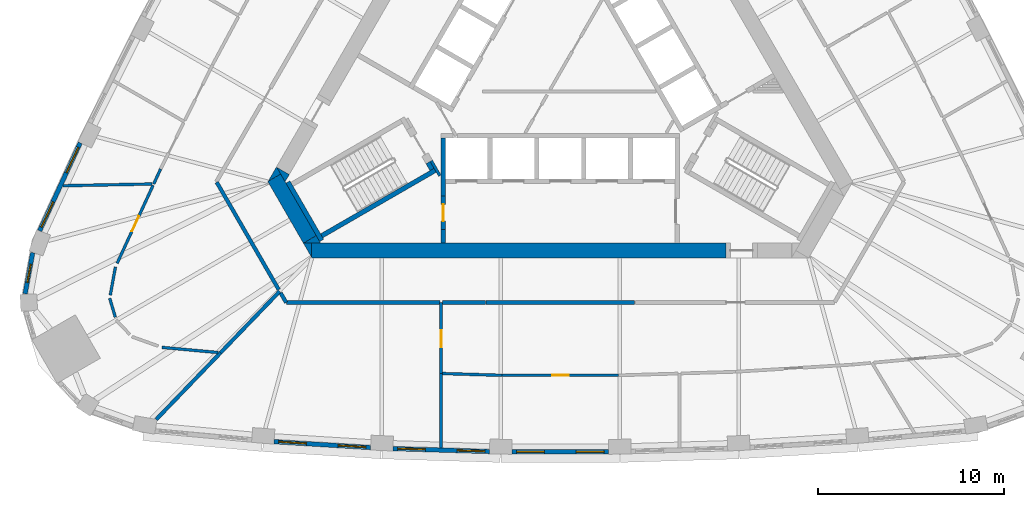
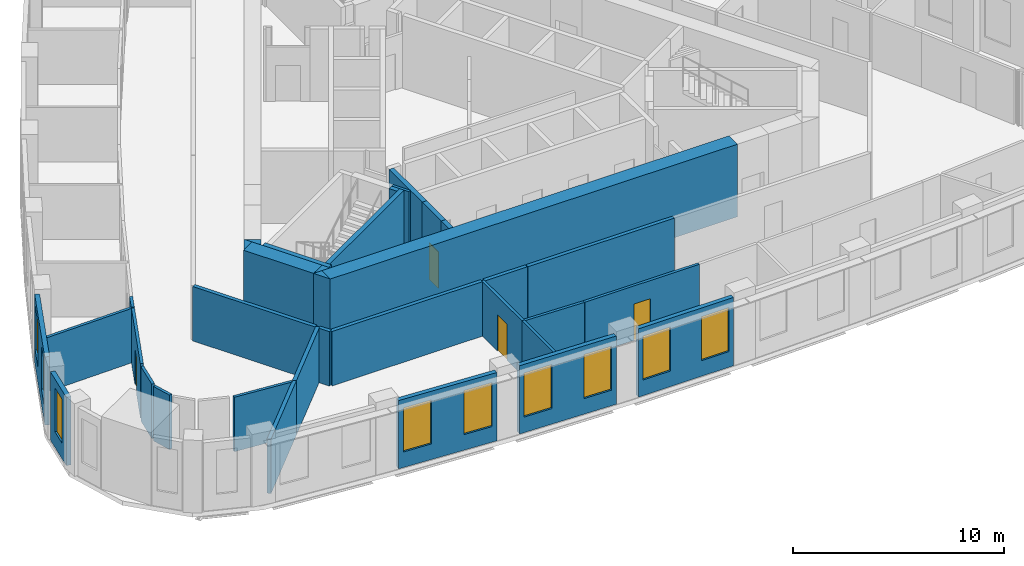
# One storey, part 3 of 11: 35 walls, 9 windows, 4 doors, 13 openings.
"""IFC4 building model written with IfcOpenShell, lengths in metres."""

from ifc_helpers import new_model, si_unit, direction, frame, frame_2d, origin, place, context, subcontext, project, spatial, polyline, rectangle, outline, extrude, material, layer, layer_set, type_object, element, fill, save


model = new_model("IFC4")

# Units and contexts
model_context = context("Model", 3, precision=1e-05, world=origin(), true_north=direction((0.0, 1.0)))
body_context = subcontext(model_context, "Body", "Model", "MODEL_VIEW")
ifc_project = project(units=[si_unit("LENGTHUNIT", "METRE"), si_unit("AREAUNIT", "SQUARE_METRE"), si_unit("VOLUMEUNIT", "CUBIC_METRE"), si_unit("PLANEANGLEUNIT", "RADIAN"), si_unit("MASSUNIT", "GRAM", prefix="KILO")], contexts=[model_context])

# Site, building, storey
site_placement = place(None, origin())
site = spatial("IfcSite", under=ifc_project, at=site_placement, CompositionType="ELEMENT")
building_placement = place(site_placement, origin())
building = spatial("IfcBuilding", under=site, at=building_placement, Name="Mestral Congress Tower", CompositionType="ELEMENT")
storey_placement = place(building_placement, frame((0.0, 0.0, 175.199951171875)))
storey = spatial("IfcBuildingStorey", under=building, at=storey_placement, Name="L41", CompositionType="ELEMENT", Elevation=175.199951171875)

# Walls
ifc_material_1 = material(Name="Concrete C60/75", Category="concrete")
ifc_layer_1 = layer(ifc_material_1, 0.800048828125)
ifc_layer_set_1 = layer_set([ifc_layer_1], Name="Concrete C60/75")
wall_type_1 = type_object("IfcWallType", Name="Core wall RC 800", PredefinedType="SOLIDWALL", material=ifc_layer_set_1)
wall_1_placement = place(storey_placement, frame((-13.377685546875, -10.050048828125, 0.0), z_axis=(0.0, 0.0, 1.0), x_axis=(1.0, 0.0, 0.0)))
element("IfcWall", 1, at=wall_1_placement, inside=storey, type_object=wall_type_1, Name="L41 core wall", PredefinedType="SOLIDWALL", context=body_context, shape_type="SweptSolid", body=[
    extrude(rectangle(XDim=22.281982421875, YDim=0.800048828125, at=frame_2d((11.14111328125, 0.0))), origin(), (0.0, 0.0, 1.0), 4.199951171875),
])
placement = place(storey_placement, origin())
element("IfcWall", 2, at=placement, inside=storey, type_object=wall_type_1, Name="L41 core wall", PredefinedType="SOLIDWALL", context=body_context, shape_type="SweptSolid", body=[
    extrude(outline(polyline([(-13.82763671875, -9.64990234375), (-13.379638671875, -9.64990234375), (-13.379638671875, -10.42578125), (-13.82763671875, -9.64990234375)])), origin(), (0.0, 0.0, 1.0), 4.199951171875),
])
wall_3_placement = place(storey_placement, frame((-15.392333984375, -6.1396484375, 0.0), z_axis=(0.0, 0.0, 1.0), x_axis=(0.499984020225, -0.866034629516, 0.0)))
element("IfcWall", 3, at=wall_3_placement, inside=storey, type_object=wall_type_1, Name="L41 core wall", PredefinedType="SOLIDWALL", context=body_context, shape_type="SweptSolid", body=[
    extrude(rectangle(XDim=3.824462890625, YDim=0.800048828125, at=frame_2d((1.912109375, 0.0))), origin(), (0.0, 0.0, 1.0), 4.199951171875),
])
element("IfcWall", 4, at=placement, inside=storey, type_object=wall_type_1, Name="L41 core wall", PredefinedType="SOLIDWALL", context=body_context, shape_type="SweptSolid", body=[
    extrude(outline(polyline([(-15.046875, -5.93798828125), (-15.718994140625, -6.325927734375), (-15.27099609375, -5.550048828125), (-15.046875, -5.93798828125)])), origin(), (0.0, 0.0, 1.0), 4.199951171875),
])
element("IfcWall", 5, at=placement, inside=storey, type_object=wall_type_1, Name="L41 core wall", PredefinedType="SOLIDWALL", context=body_context, shape_type="SweptSolid", body=[
    extrude(outline(polyline([(-12.90380859375, -9.64990234375), (-13.81982421875, -9.64990234375), (-13.1328125, -9.25341796875), (-12.90380859375, -9.64990234375)])), origin(), (0.0, 0.0, 1.0), 4.199951171875),
])
element("IfcWall", 6, at=placement, inside=storey, type_object=wall_type_1, Name="L41 core wall", PredefinedType="SOLIDWALL", context=body_context, shape_type="SweptSolid", body=[
    extrude(outline(polyline([(-14.80908203125, -6.35009765625), (-15.257080078125, -5.573974609375), (-14.5849609375, -5.9619140625), (-14.80908203125, -6.35009765625)])), origin(), (0.0, 0.0, 1.0), 4.199951171875),
])

# Wall, openings, windows
ifc_material_2 = material(Name="Precast concrete C40/50 with limestone facing", Category="masonry")
ifc_layer_2 = layer(ifc_material_2, 0.239990234375)
ifc_layer_set_2 = layer_set([ifc_layer_2], Name="Precast concrete C40/50 with limestone facing")
wall_type_2 = type_object("IfcWallType", Name="Facade stone wall 240", PredefinedType="SOLIDWALL", material=ifc_layer_set_2)
wall_7_placement = place(storey_placement, frame((-15.404541015625, -20.33837890625, 0.0), z_axis=(0.0, 0.0, 1.0), x_axis=(0.998135294646, -0.061040425794, 0.0)))
wall_7 = element("IfcWall", 7, at=wall_7_placement, inside=storey, type_object=wall_type_2, Name="Facade wall F0-01", PredefinedType="SOLIDWALL", context=body_context, shape_type="SweptSolid", body=[
    extrude(rectangle(XDim=5.20361328125, YDim=0.239990234375, at=frame_2d((2.601806640625, 0.0))), origin(), (0.0, 0.0, 1.0), 3.949951171875),
])
opening_1_placement = place(wall_7_placement, frame((0.248291015625, 0.0, 0.89990234375)))
opening_1 = element("IfcOpeningElement", 8, at=opening_1_placement, cuts=wall_7, Name="Opening W4", PredefinedType="OPENING", context=body_context, shape_type="SweptSolid", body=[
    extrude(rectangle(XDim=1.5, YDim=2.550048828125, at=frame_2d((0.75, 1.27490234375))), frame((0.0, 0.1298828125, 0.0), z_axis=(0.0, -1.0, 0.0), x_axis=(1.0, 0.0, 0.0)), (0.0, 0.0, 1.0), 0.260009765625),
])
opening_2_placement = place(wall_7_placement, frame((3.455078125, 0.0, 0.89990234375)))
opening_2 = element("IfcOpeningElement", 9, at=opening_2_placement, cuts=wall_7, Name="Opening W4", PredefinedType="OPENING", context=body_context, shape_type="SweptSolid", body=[
    extrude(rectangle(XDim=1.5, YDim=2.550048828125, at=frame_2d((0.75, 1.27490234375))), frame((0.0, 0.1298828125, 0.0), z_axis=(0.0, -1.0, 0.0), x_axis=(1.0, 0.0, 0.0)), (0.0, 0.0, 1.0), 0.260009765625),
])
ifc_material_3 = material(Name="Clear low-emissivity double glazing", Category="glass")
window_type_1 = type_object("IfcWindowType", Name="Facade punched window 1500 x 2550 sill 900", PartitioningType="SINGLE_PANEL", PredefinedType="WINDOW", material=ifc_material_3)
window_1_placement = place(opening_1_placement, origin())
window_1 = element("IfcWindow", 10, at=window_1_placement, inside=storey, type_object=window_type_1, Name="Window F0-01a", OverallHeight=2.550048828125, OverallWidth=1.5, PartitioningType="SINGLE_PANEL", PredefinedType="WINDOW", context=body_context, shape_type="SweptSolid", body=[
    extrude(rectangle(XDim=1.5, YDim=2.550048828125, at=frame_2d((0.75, 1.27490234375))), frame((0.0, 0.0400390625, 0.0), z_axis=(0.0, -1.0, 0.0), x_axis=(1.0, 0.0, 0.0)), (0.0, 0.0, 1.0), 0.06005859375),
])
fill(opening_1, window_1)
window_2_placement = place(opening_2_placement, origin())
window_2 = element("IfcWindow", 11, at=window_2_placement, inside=storey, type_object=window_type_1, Name="Window F0-01b", OverallHeight=2.550048828125, OverallWidth=1.5, PartitioningType="SINGLE_PANEL", PredefinedType="WINDOW", context=body_context, shape_type="SweptSolid", body=[
    extrude(rectangle(XDim=1.5, YDim=2.550048828125, at=frame_2d((0.75, 1.27490234375))), frame((0.0, 0.0400390625, 0.0), z_axis=(0.0, -1.0, 0.0), x_axis=(1.0, 0.0, 0.0)), (0.0, 0.0, 1.0), 0.06005859375),
])
fill(opening_2, window_2)

wall_8_placement = place(storey_placement, frame((-9.00732421875, -20.7109375, 0.0), z_axis=(0.0, 0.0, 1.0), x_axis=(0.999533441983, -0.030543384845, 0.0)))
wall_8 = element("IfcWall", 12, at=wall_8_placement, inside=storey, type_object=wall_type_2, Name="Facade wall F0-02", PredefinedType="SOLIDWALL", context=body_context, shape_type="SweptSolid", body=[
    extrude(rectangle(XDim=5.20361328125, YDim=0.239990234375, at=frame_2d((2.601806640625, 0.0))), origin(), (0.0, 0.0, 1.0), 3.949951171875),
])
opening_3_placement = place(wall_8_placement, frame((0.248291015625, 0.0, 0.89990234375)))
opening_3 = element("IfcOpeningElement", 13, at=opening_3_placement, cuts=wall_8, Name="Opening W4", PredefinedType="OPENING", context=body_context, shape_type="SweptSolid", body=[
    extrude(rectangle(XDim=1.5, YDim=2.550048828125, at=frame_2d((0.75, 1.27490234375))), frame((0.0, 0.1298828125, 0.0), z_axis=(0.0, -1.0, 0.0), x_axis=(1.0, 0.0, 0.0)), (0.0, 0.0, 1.0), 0.260009765625),
])
opening_4_placement = place(wall_8_placement, frame((3.455078125, 0.0, 0.89990234375)))
opening_4 = element("IfcOpeningElement", 14, at=opening_4_placement, cuts=wall_8, Name="Opening W4", PredefinedType="OPENING", context=body_context, shape_type="SweptSolid", body=[
    extrude(rectangle(XDim=1.5, YDim=2.550048828125, at=frame_2d((0.75, 1.27490234375))), frame((0.0, 0.1298828125, 0.0), z_axis=(0.0, -1.0, 0.0), x_axis=(1.0, 0.0, 0.0)), (0.0, 0.0, 1.0), 0.260009765625),
])
window_3_placement = place(opening_3_placement, origin())
window_3 = element("IfcWindow", 15, at=window_3_placement, inside=storey, type_object=window_type_1, Name="Window F0-02a", OverallHeight=2.550048828125, OverallWidth=1.5, PartitioningType="SINGLE_PANEL", PredefinedType="WINDOW", context=body_context, shape_type="SweptSolid", body=[
    extrude(rectangle(XDim=1.5, YDim=2.550048828125, at=frame_2d((0.75, 1.27490234375))), frame((0.0, 0.0400390625, 0.0), z_axis=(0.0, -1.0, 0.0), x_axis=(1.0, 0.0, 0.0)), (0.0, 0.0, 1.0), 0.06005859375),
])
fill(opening_3, window_3)
window_4_placement = place(opening_4_placement, origin())
window_4 = element("IfcWindow", 16, at=window_4_placement, inside=storey, type_object=window_type_1, Name="Window F0-02b", OverallHeight=2.550048828125, OverallWidth=1.5, PartitioningType="SINGLE_PANEL", PredefinedType="WINDOW", context=body_context, shape_type="SweptSolid", body=[
    extrude(rectangle(XDim=1.5, YDim=2.550048828125, at=frame_2d((0.75, 1.27490234375))), frame((0.0, 0.0400390625, 0.0), z_axis=(0.0, -1.0, 0.0), x_axis=(1.0, 0.0, 0.0)), (0.0, 0.0, 1.0), 0.06005859375),
])
fill(opening_4, window_4)

wall_9_placement = place(storey_placement, frame((-2.601806640625, -20.88818359375, 0.0), z_axis=(0.0, 0.0, 1.0), x_axis=(1.0, 0.0, 0.0)))
wall_9 = element("IfcWall", 17, at=wall_9_placement, inside=storey, type_object=wall_type_2, Name="Facade wall F0-03", PredefinedType="SOLIDWALL", context=body_context, shape_type="SweptSolid", body=[
    extrude(rectangle(XDim=5.20361328125, YDim=0.239990234375, at=frame_2d((2.601806640625, 0.0))), origin(), (0.0, 0.0, 1.0), 3.949951171875),
])
opening_5_placement = place(wall_9_placement, frame((0.248291015625, 0.0, 0.89990234375)))
opening_5 = element("IfcOpeningElement", 18, at=opening_5_placement, cuts=wall_9, Name="Opening W4", PredefinedType="OPENING", context=body_context, shape_type="SweptSolid", body=[
    extrude(rectangle(XDim=1.5, YDim=2.550048828125, at=frame_2d((0.75, 1.27490234375))), frame((0.0, 0.1298828125, 0.0), z_axis=(0.0, -1.0, 0.0), x_axis=(1.0, 0.0, 0.0)), (0.0, 0.0, 1.0), 0.260009765625),
])
opening_6_placement = place(wall_9_placement, frame((3.455078125, 0.0, 0.89990234375)))
opening_6 = element("IfcOpeningElement", 19, at=opening_6_placement, cuts=wall_9, Name="Opening W4", PredefinedType="OPENING", context=body_context, shape_type="SweptSolid", body=[
    extrude(rectangle(XDim=1.5, YDim=2.550048828125, at=frame_2d((0.75, 1.27490234375))), frame((0.0, 0.1298828125, 0.0), z_axis=(0.0, -1.0, 0.0), x_axis=(1.0, 0.0, 0.0)), (0.0, 0.0, 1.0), 0.260009765625),
])
window_5_placement = place(opening_5_placement, origin())
window_5 = element("IfcWindow", 20, at=window_5_placement, inside=storey, type_object=window_type_1, Name="Window F0-03a", OverallHeight=2.550048828125, OverallWidth=1.5, PartitioningType="SINGLE_PANEL", PredefinedType="WINDOW", context=body_context, shape_type="SweptSolid", body=[
    extrude(rectangle(XDim=1.5, YDim=2.550048828125, at=frame_2d((0.75, 1.27490234375))), frame((0.0, 0.0400390625, 0.0), z_axis=(0.0, -1.0, 0.0), x_axis=(1.0, 0.0, 0.0)), (0.0, 0.0, 1.0), 0.06005859375),
])
fill(opening_5, window_5)
window_6_placement = place(opening_6_placement, origin())
window_6 = element("IfcWindow", 21, at=window_6_placement, inside=storey, type_object=window_type_1, Name="Window F0-03b", OverallHeight=2.550048828125, OverallWidth=1.5, PartitioningType="SINGLE_PANEL", PredefinedType="WINDOW", context=body_context, shape_type="SweptSolid", body=[
    extrude(rectangle(XDim=1.5, YDim=2.550048828125, at=frame_2d((0.75, 1.27490234375))), frame((0.0, 0.0400390625, 0.0), z_axis=(0.0, -1.0, 0.0), x_axis=(1.0, 0.0, 0.0)), (0.0, 0.0, 1.0), 0.06005859375),
])
fill(opening_6, window_6)

wall_10_placement = place(storey_placement, frame((-25.8369140625, -4.2578125, 0.0), z_axis=(0.0, 0.0, 1.0), x_axis=(-0.418722559465, -0.908114209885, 0.0)))
wall_10 = element("IfcWall", 22, at=wall_10_placement, inside=storey, type_object=wall_type_2, Name="Facade wall F2-06", PredefinedType="SOLIDWALL", context=body_context, shape_type="SweptSolid", body=[
    extrude(rectangle(XDim=5.213134765625, YDim=0.239990234375, at=frame_2d((2.6064453125, 0.0))), origin(), (0.0, 0.0, 1.0), 3.949951171875),
])
opening_7_placement = place(wall_10_placement, frame((0.2607421875, 0.0, 0.89990234375)))
opening_7 = element("IfcOpeningElement", 23, at=opening_7_placement, cuts=wall_10, Name="Opening W4", PredefinedType="OPENING", context=body_context, shape_type="SweptSolid", body=[
    extrude(rectangle(XDim=1.5, YDim=2.550048828125, at=frame_2d((0.75, 1.27490234375))), frame((0.0, 0.1298828125, 0.0), z_axis=(0.0, -1.0, 0.0), x_axis=(1.0, 0.0, 0.0)), (0.0, 0.0, 1.0), 0.260009765625),
])
opening_8_placement = place(wall_10_placement, frame((3.492431640625, 0.0, 0.89990234375)))
opening_8 = element("IfcOpeningElement", 24, at=opening_8_placement, cuts=wall_10, Name="Opening W4", PredefinedType="OPENING", context=body_context, shape_type="SweptSolid", body=[
    extrude(rectangle(XDim=1.5, YDim=2.550048828125, at=frame_2d((0.75, 1.27490234375))), frame((0.0, 0.1298828125, 0.0), z_axis=(0.0, -1.0, 0.0), x_axis=(1.0, 0.0, 0.0)), (0.0, 0.0, 1.0), 0.260009765625),
])
window_7_placement = place(opening_7_placement, origin())
window_7 = element("IfcWindow", 25, at=window_7_placement, inside=storey, type_object=window_type_1, Name="Window F2-06a", OverallHeight=2.550048828125, OverallWidth=1.5, PartitioningType="SINGLE_PANEL", PredefinedType="WINDOW", context=body_context, shape_type="SweptSolid", body=[
    extrude(rectangle(XDim=1.5, YDim=2.550048828125, at=frame_2d((0.75, 1.27490234375))), frame((0.0, 0.0400390625, 0.0), z_axis=(0.0, -1.0, 0.0), x_axis=(1.0, 0.0, 0.0)), (0.0, 0.0, 1.0), 0.06005859375),
])
fill(opening_7, window_7)
window_8_placement = place(opening_8_placement, origin())
window_8 = element("IfcWindow", 26, at=window_8_placement, inside=storey, type_object=window_type_1, Name="Window F2-06b", OverallHeight=2.550048828125, OverallWidth=1.5, PartitioningType="SINGLE_PANEL", PredefinedType="WINDOW", context=body_context, shape_type="SweptSolid", body=[
    extrude(rectangle(XDim=1.5, YDim=2.550048828125, at=frame_2d((0.75, 1.27490234375))), frame((0.0, 0.0400390625, 0.0), z_axis=(0.0, -1.0, 0.0), x_axis=(1.0, 0.0, 0.0)), (0.0, 0.0, 1.0), 0.06005859375),
])
fill(opening_8, window_8)

# Wall, opening, window
wall_11_placement = place(storey_placement, frame((-28.392578125, -10.166748046875, 0.0), z_axis=(0.0, 0.0, 1.0), x_axis=(-0.180737189259, -0.983531427265, 0.0)))
wall_11 = element("IfcWall", 27, at=wall_11_placement, inside=storey, type_object=wall_type_2, Name="Facade wall K2-0", PredefinedType="SOLIDWALL", context=body_context, shape_type="SweptSolid", body=[
    extrude(rectangle(XDim=2.25048828125, YDim=0.239990234375, at=frame_2d((1.125244140625, 0.0))), origin(), (0.0, 0.0, 1.0), 3.949951171875),
])
opening_9_placement = place(wall_11_placement, frame((0.625244140625, 0.0, 0.89990234375)))
opening_9 = element("IfcOpeningElement", 28, at=opening_9_placement, cuts=wall_11, Name="Opening W5", PredefinedType="OPENING", context=body_context, shape_type="SweptSolid", body=[
    extrude(rectangle(XDim=1.0, YDim=2.550048828125, at=frame_2d((0.5, 1.27490234375))), frame((0.0, 0.1298828125, 0.0), z_axis=(0.0, -1.0, 0.0), x_axis=(1.0, 0.0, 0.0)), (0.0, 0.0, 1.0), 0.260009765625),
])
window_type_2 = type_object("IfcWindowType", Name="Facade punched window 1000 x 2550 sill 900", PartitioningType="SINGLE_PANEL", PredefinedType="WINDOW", material=ifc_material_3)
window_9_placement = place(opening_9_placement, origin())
window_9 = element("IfcWindow", 29, at=window_9_placement, inside=storey, type_object=window_type_2, Name="Window K2-0", OverallHeight=2.550048828125, OverallWidth=1.0, PartitioningType="SINGLE_PANEL", PredefinedType="WINDOW", context=body_context, shape_type="SweptSolid", body=[
    extrude(rectangle(XDim=1.0, YDim=2.550048828125, at=frame_2d((0.5, 1.27490234375))), frame((0.0, 0.0400390625, 0.0), z_axis=(0.0, -1.0, 0.0), x_axis=(1.0, 0.0, 0.0)), (0.0, 0.0, 1.0), 0.06005859375),
])
fill(opening_9, window_9)

# Wall
ifc_material_4 = material(Name="Plasterboard partition on steel studs", Category="steel")
ifc_layer_3 = layer(ifc_material_4, 0.14990234375)
ifc_layer_set_3 = layer_set([ifc_layer_3], Name="Plasterboard partition on steel studs")
wall_type_3 = type_object("IfcWallType", Name="Office partition 150", PredefinedType="PARTITIONING", material=ifc_layer_set_3)
wall_12_placement = place(storey_placement, frame((-6.412109375, -16.664306640625, 0.0), z_axis=(0.0, 0.0, 1.0), x_axis=(0.0, -1.0, 0.0)))
element("IfcWall", 30, at=wall_12_placement, inside=storey, type_object=wall_type_3, Name="Partition", PredefinedType="PARTITIONING", context=body_context, shape_type="SweptSolid", body=[
    extrude(rectangle(XDim=4.005859375, YDim=0.14990234375, at=frame_2d((2.0029296875, 0.0))), origin(), (0.0, 0.0, 1.0), 3.150146484375),
])

# Wall, opening, door
wall_13_placement = place(storey_placement, frame((-6.412109375, -16.67236328125, 0.0), z_axis=(0.0, 0.0, 1.0), x_axis=(0.0, 1.0, 0.0)))
wall_13 = element("IfcWall", 31, at=wall_13_placement, inside=storey, type_object=wall_type_3, Name="Partition", PredefinedType="PARTITIONING", context=body_context, shape_type="SweptSolid", body=[
    extrude(rectangle(XDim=3.822265625, YDim=0.14990234375, at=frame_2d((1.9111328125, 0.0))), origin(), (0.0, 0.0, 1.0), 3.150146484375),
])
opening_10_placement = place(wall_13_placement, frame((1.42236328125, 0.0, 0.0)))
opening_10 = element("IfcOpeningElement", 32, at=opening_10_placement, cuts=wall_13, Name="Opening O03-001", PredefinedType="OPENING", context=body_context, shape_type="SweptSolid", body=[
    extrude(rectangle(XDim=0.89990234375, YDim=2.10009765625, at=frame_2d((0.449951171875, 1.050048828125))), frame((0.0, 0.0849609375, 0.0), z_axis=(0.0, -1.0, 0.0), x_axis=(1.0, 0.0, 0.0)), (0.0, 0.0, 1.0), 0.169921875),
])
ifc_material_5 = material(Name="Timber door set", Category="wood")
door_type_1 = type_object("IfcDoorType", Name="Office door 900x2100", OperationType="SINGLE_SWING_LEFT", PredefinedType="DOOR", material=ifc_material_5)
door_1_placement = place(opening_10_placement, origin())
door_1 = element("IfcDoor", 33, at=door_1_placement, inside=storey, type_object=door_type_1, Name="Door O03-001", OperationType="SINGLE_SWING_LEFT", OverallHeight=2.10009765625, OverallWidth=0.89990234375, PredefinedType="DOOR", context=body_context, shape_type="SweptSolid", body=[
    extrude(rectangle(XDim=0.89990234375, YDim=2.10009765625, at=frame_2d((0.449951171875, 1.050048828125))), frame((0.0, 0.02490234375, 0.0), z_axis=(0.0, -1.0, 0.0), x_axis=(1.0, 0.0, 0.0)), (0.0, 0.0, 1.0), 0.050048828125),
])
fill(opening_10, door_1)

# Wall
wall_14_placement = place(storey_placement, frame((-6.3369140625, -16.670654296875, 0.0), z_axis=(0.0, 0.0, 1.0), x_axis=(0.999533369646, -0.030545751995, 0.0)))
element("IfcWall", 34, at=wall_14_placement, inside=storey, type_object=wall_type_3, Name="Partition", PredefinedType="PARTITIONING", context=body_context, shape_type="SweptSolid", body=[
    extrude(rectangle(XDim=3.197021484375, YDim=0.14990234375, at=frame_2d((1.5986328125, 0.0))), origin(), (0.0, 0.0, 1.0), 3.150146484375),
])

# Wall, opening, door
wall_15_placement = place(storey_placement, frame((3.141357421875, -16.768310546875, 0.0), z_axis=(0.0, 0.0, 1.0), x_axis=(-1.0, 0.0, 0.0)))
wall_15 = element("IfcWall", 35, at=wall_15_placement, inside=storey, type_object=wall_type_3, Name="Partition", PredefinedType="PARTITIONING", context=body_context, shape_type="SweptSolid", body=[
    extrude(rectangle(XDim=6.28271484375, YDim=0.14990234375, at=frame_2d((3.141357421875, 0.0))), origin(), (0.0, 0.0, 1.0), 3.150146484375),
])
opening_11_placement = place(wall_15_placement, frame((2.6826171875, 0.0, 0.0)))
opening_11 = element("IfcOpeningElement", 36, at=opening_11_placement, cuts=wall_15, Name="Opening O03-002", PredefinedType="OPENING", context=body_context, shape_type="SweptSolid", body=[
    extrude(rectangle(XDim=0.89990234375, YDim=2.10009765625, at=frame_2d((0.449951171875, 1.050048828125))), frame((0.0, 0.0849609375, 0.0), z_axis=(0.0, -1.0, 0.0), x_axis=(1.0, 0.0, 0.0)), (0.0, 0.0, 1.0), 0.169921875),
])
door_2_placement = place(opening_11_placement, origin())
door_2 = element("IfcDoor", 37, at=door_2_placement, inside=storey, type_object=door_type_1, Name="Door O03-002", OperationType="SINGLE_SWING_LEFT", OverallHeight=2.10009765625, OverallWidth=0.89990234375, PredefinedType="DOOR", context=body_context, shape_type="SweptSolid", body=[
    extrude(rectangle(XDim=0.89990234375, YDim=2.10009765625, at=frame_2d((0.449951171875, 1.050048828125))), frame((0.0, 0.02490234375, 0.0), z_axis=(0.0, -1.0, 0.0), x_axis=(1.0, 0.0, 0.0)), (0.0, 0.0, 1.0), 0.050048828125),
])
fill(opening_11, door_2)

# Walls
wall_16_placement = place(storey_placement, frame((-21.5087890625, -5.666015625, 0.0), z_axis=(0.0, 0.0, 1.0), x_axis=(-0.4188658149, -0.908048142506, 0.0)))
element("IfcWall", 38, at=wall_16_placement, inside=storey, type_object=wall_type_3, Name="Partition", PredefinedType="PARTITIONING", context=body_context, shape_type="SweptSolid", body=[
    extrude(rectangle(XDim=0.88525390625, YDim=0.14990234375, at=frame_2d((0.442626953125, 0.0))), origin(), (0.0, 0.0, 1.0), 3.150146484375),
])
wall_17_placement = place(storey_placement, frame((-21.962890625, -6.4716796875, 0.0), z_axis=(0.0, 0.0, 1.0), x_axis=(-0.999809788098, -0.019503528505, 0.0)))
element("IfcWall", 39, at=wall_17_placement, inside=storey, type_object=wall_type_3, Name="Partition", PredefinedType="PARTITIONING", context=body_context, shape_type="SweptSolid", body=[
    extrude(rectangle(XDim=4.806884765625, YDim=0.14990234375, at=frame_2d((2.4033203125, 0.0))), origin(), (0.0, 0.0, 1.0), 3.150146484375),
])
wall_18_placement = place(storey_placement, frame((-18.412109375, -15.54150390625, 0.0), z_axis=(0.0, 0.0, 1.0), x_axis=(-0.995812481052, 0.091419377496, 0.0)))
element("IfcWall", 40, at=wall_18_placement, inside=storey, type_object=wall_type_3, Name="Partition", PredefinedType="PARTITIONING", context=body_context, shape_type="SweptSolid", body=[
    extrude(rectangle(XDim=3.0390625, YDim=0.14990234375, at=frame_2d((1.51953125, 0.0))), origin(), (0.0, 0.0, 1.0), 3.150146484375),
])
wall_19_placement = place(storey_placement, frame((-23.944580078125, -13.638427734375, 0.0), z_axis=(0.0, 0.0, 1.0), x_axis=(-0.284463225945, 0.9586869526, 0.0)))
element("IfcWall", 41, at=wall_19_placement, inside=storey, type_object=wall_type_3, Name="Partition", PredefinedType="PARTITIONING", context=body_context, shape_type="SweptSolid", body=[
    extrude(rectangle(XDim=1.064208984375, YDim=0.14990234375, at=frame_2d((0.5322265625, 0.0))), origin(), (0.0, 0.0, 1.0), 3.150146484375),
])
wall_20_placement = place(storey_placement, frame((-24.21728515625, -12.455078125, 0.0), z_axis=(0.0, 0.0, 1.0), x_axis=(0.180635934027, 0.983550028894, 0.0)))
element("IfcWall", 42, at=wall_20_placement, inside=storey, type_object=wall_type_3, Name="Partition", PredefinedType="PARTITIONING", context=body_context, shape_type="SweptSolid", body=[
    extrude(rectangle(XDim=1.546142578125, YDim=0.14990234375, at=frame_2d((0.77294921875, 0.0))), origin(), (0.0, 0.0, 1.0), 3.150146484375),
])

# Wall, opening, door
wall_21_placement = place(storey_placement, frame((-23.848388671875, -10.73974609375, 0.0), z_axis=(0.0, 0.0, 1.0), x_axis=(0.418723219841, 0.908113905392, 0.0)))
wall_21 = element("IfcWall", 43, at=wall_21_placement, inside=storey, type_object=wall_type_3, Name="Partition", PredefinedType="PARTITIONING", context=body_context, shape_type="SweptSolid", body=[
    extrude(rectangle(XDim=4.62255859375, YDim=0.14990234375, at=frame_2d((2.311279296875, 0.0))), origin(), (0.0, 0.0, 1.0), 3.150146484375),
])
opening_12_placement = place(wall_21_placement, frame((1.89990234375, 0.0, 0.0)))
opening_12 = element("IfcOpeningElement", 44, at=opening_12_placement, cuts=wall_21, Name="Opening O03-021", PredefinedType="OPENING", context=body_context, shape_type="SweptSolid", body=[
    extrude(rectangle(XDim=0.89990234375, YDim=2.10009765625, at=frame_2d((0.449951171875, 1.050048828125))), frame((0.0, 0.0849609375, 0.0), z_axis=(0.0, -1.0, 0.0), x_axis=(1.0, 0.0, 0.0)), (0.0, 0.0, 1.0), 0.169921875),
])
door_3_placement = place(opening_12_placement, origin())
door_3 = element("IfcDoor", 45, at=door_3_placement, inside=storey, type_object=door_type_1, Name="Door O03-021", OperationType="SINGLE_SWING_RIGHT", OverallHeight=2.10009765625, OverallWidth=0.89990234375, PredefinedType="DOOR", context=body_context, shape_type="SweptSolid", body=[
    extrude(rectangle(XDim=0.89990234375, YDim=2.10009765625, at=frame_2d((0.449951171875, 1.050048828125))), frame((0.0, 0.02490234375, 0.0), z_axis=(0.0, -1.0, 0.0), x_axis=(1.0, 0.0, 0.0)), (0.0, 0.0, 1.0), 0.050048828125),
])
fill(opening_12, door_3)

# Walls
ifc_material_6 = material(Name="Dense masonry wall, plastered", Category="masonry")
ifc_layer_4 = layer(ifc_material_6, 0.199951171875)
ifc_layer_set_4 = layer_set([ifc_layer_4], Name="Dense masonry wall, plastered")
wall_type_4 = type_object("IfcWallType", Name="Office tenancy wall 200", PredefinedType="PARTITIONING", material=ifc_layer_set_4)
wall_22_placement = place(storey_placement, frame((-18.2880859375, -15.55712890625, 0.0), z_axis=(0.0, 0.0, 1.0), x_axis=(0.693944823318, 0.720028181525, 0.0)))
element("IfcWall", 46, at=wall_22_placement, inside=storey, type_object=wall_type_4, Name="Tenancy wall", PredefinedType="PARTITIONING", context=body_context, shape_type="SweptSolid", body=[
    extrude(rectangle(XDim=4.595703125, YDim=0.199951171875, at=frame_2d((2.2978515625, 0.0))), origin(), (0.0, 0.0, 1.0), 3.150146484375),
])
wall_23_placement = place(storey_placement, frame((-21.741943359375, -19.140380859375, 0.0), z_axis=(0.0, 0.0, 1.0), x_axis=(0.693986944276, 0.719987584042, 0.0)))
element("IfcWall", 47, at=wall_23_placement, inside=storey, type_object=wall_type_4, Name="Tenancy wall", PredefinedType="PARTITIONING", context=body_context, shape_type="SweptSolid", body=[
    extrude(rectangle(XDim=4.986083984375, YDim=0.199951171875, at=frame_2d((2.4931640625, 0.0))), origin(), (0.0, 0.0, 1.0), 3.150146484375),
])
wall_24_placement = place(storey_placement, frame((-15.046875, -12.338134765625, 0.0), z_axis=(0.0, 0.0, 1.0), x_axis=(0.500091824179, -0.865972382579, 0.0)))
element("IfcWall", 48, at=wall_24_placement, inside=storey, type_object=wall_type_4, Name="Tenancy wall", PredefinedType="PARTITIONING", context=body_context, shape_type="SweptSolid", body=[
    extrude(rectangle(XDim=0.59130859375, YDim=0.199951171875, at=frame_2d((0.295654296875, 0.0))), origin(), (0.0, 0.0, 1.0), 3.150146484375),
])
wall_25_placement = place(storey_placement, frame((-14.72119140625, -12.85009765625, 0.0), z_axis=(0.0, 0.0, 1.0), x_axis=(1.0, 0.0, 0.0)))
element("IfcWall", 49, at=wall_25_placement, inside=storey, type_object=wall_type_4, Name="Tenancy wall", PredefinedType="PARTITIONING", context=body_context, shape_type="SweptSolid", body=[
    extrude(rectangle(XDim=8.234130859375, YDim=0.199951171875, at=frame_2d((4.1171875, 0.0))), origin(), (0.0, 0.0, 1.0), 3.150146484375),
])
wall_26_placement = place(storey_placement, frame((-4.00390625, -12.85009765625, 0.0), z_axis=(0.0, 0.0, 1.0), x_axis=(1.0, 0.0, 0.0)))
element("IfcWall", 50, at=wall_26_placement, inside=storey, type_object=wall_type_4, Name="Tenancy wall", PredefinedType="PARTITIONING", context=body_context, shape_type="SweptSolid", body=[
    extrude(rectangle(XDim=8.0078125, YDim=0.199951171875, at=frame_2d((4.00390625, 0.0))), origin(), (0.0, 0.0, 1.0), 3.150146484375),
])
wall_27_placement = place(storey_placement, frame((-6.3369140625, -12.85009765625, 0.0), z_axis=(0.0, 0.0, 1.0), x_axis=(1.0, 0.0, 0.0)))
element("IfcWall", 51, at=wall_27_placement, inside=storey, type_object=wall_type_4, Name="Tenancy wall", PredefinedType="PARTITIONING", context=body_context, shape_type="SweptSolid", body=[
    extrude(rectangle(XDim=2.302978515625, YDim=0.199951171875, at=frame_2d((1.1513671875, 0.0))), origin(), (0.0, 0.0, 1.0), 3.150146484375),
])
wall_28_placement = place(storey_placement, frame((-18.489013671875, -6.3759765625, 0.0), z_axis=(0.0, 0.0, 1.0), x_axis=(0.499989401968, -0.866031522475, 0.0)))
element("IfcWall", 52, at=wall_28_placement, inside=storey, type_object=wall_type_4, Name="Tenancy wall", PredefinedType="PARTITIONING", context=body_context, shape_type="SweptSolid", body=[
    extrude(rectangle(XDim=6.676513671875, YDim=0.199951171875, at=frame_2d((3.33837890625, 0.0))), origin(), (0.0, 0.0, 1.0), 3.150146484375),
])
ifc_layer_5 = layer(ifc_material_1, 0.25)
ifc_layer_set_5 = layer_set([ifc_layer_5], Name="Concrete C60/75")
wall_type_5 = type_object("IfcWallType", Name="Shaft wall RC 250", PredefinedType="SOLIDWALL", material=ifc_layer_set_5)
wall_29_placement = place(storey_placement, frame((-6.300048828125, -8.9248046875, 0.0), z_axis=(0.0, 0.0, 1.0), x_axis=(0.0, -1.0, 0.0)))
element("IfcWall", 53, at=wall_29_placement, inside=storey, type_object=wall_type_5, Name="L41 core wall", PredefinedType="SOLIDWALL", context=body_context, shape_type="SweptSolid", body=[
    extrude(rectangle(XDim=0.72509765625, YDim=0.25, at=frame_2d((0.362548828125, 0.0))), origin(), (0.0, 0.0, 1.0), 4.199951171875),
])
wall_30_placement = place(storey_placement, frame((-6.300048828125, -7.12451171875, 0.0), z_axis=(0.0, 0.0, 1.0), x_axis=(0.0, 1.0, 0.0)))
element("IfcWall", 54, at=wall_30_placement, inside=storey, type_object=wall_type_5, Name="L41 core wall", PredefinedType="SOLIDWALL", context=body_context, shape_type="SweptSolid", body=[
    extrude(rectangle(XDim=3.12451171875, YDim=0.25, at=frame_2d((1.562255859375, 0.0))), origin(), (0.0, 0.0, 1.0), 4.199951171875),
])

# Wall, opening, door
wall_31_placement = place(storey_placement, frame((-6.300048828125, -7.12451171875, 0.0), z_axis=(0.0, 0.0, 1.0), x_axis=(0.0, -1.0, 0.0)))
wall_31 = element("IfcWall", 55, at=wall_31_placement, inside=storey, type_object=wall_type_5, Name="L41 door wall", PredefinedType="SOLIDWALL", context=body_context, shape_type="SweptSolid", body=[
    extrude(rectangle(XDim=1.800048828125, YDim=0.25, at=frame_2d((0.89990234375, 0.0))), origin(), (0.0, 0.0, 1.0), 4.199951171875),
])
opening_13_placement = place(wall_31_placement, frame((0.449951171875, 0.0, 0.0)))
opening_13 = element("IfcOpeningElement", 56, at=opening_13_placement, cuts=wall_31, Name="Opening TD3", PredefinedType="OPENING", context=body_context, shape_type="SweptSolid", body=[
    extrude(rectangle(XDim=0.89990234375, YDim=2.10009765625, at=frame_2d((0.449951171875, 1.050048828125))), frame((0.0, 0.135009765625, 0.0), z_axis=(0.0, -1.0, 0.0), x_axis=(1.0, 0.0, 0.0)), (0.0, 0.0, 1.0), 0.27001953125),
])
ifc_material_7 = material(Name="Fire-rated steel door set", Category="steel")
door_type_2 = type_object("IfcDoorType", Name="Core door SR 900x2100", OperationType="SINGLE_SWING_LEFT", PredefinedType="DOOR", material=ifc_material_7)
door_4_placement = place(opening_13_placement, origin())
door_4 = element("IfcDoor", 57, at=door_4_placement, inside=storey, type_object=door_type_2, Name="Door TD3", OperationType="SINGLE_SWING_LEFT", OverallHeight=2.10009765625, OverallWidth=0.89990234375, PredefinedType="DOOR", context=body_context, shape_type="SweptSolid", body=[
    extrude(rectangle(XDim=0.89990234375, YDim=2.10009765625, at=frame_2d((0.449951171875, 1.050048828125))), frame((0.0, 0.02490234375, 0.0), z_axis=(0.0, -1.0, 0.0), x_axis=(1.0, 0.0, 0.0)), (0.0, 0.0, 1.0), 0.050048828125),
])
fill(opening_13, door_4)

# Walls
ifc_layer_6 = layer(ifc_material_1, 0.14990234375)
ifc_layer_set_6 = layer_set([ifc_layer_6], Name="Concrete C60/75")
wall_type_6 = type_object("IfcWallType", Name="Shaft wall RC 250 door-wall 150", PredefinedType="SOLIDWALL", material=ifc_layer_set_6)
wall_32_placement = place(storey_placement, frame((-6.48046875, -6.026611328125, 0.0), z_axis=(0.0, 0.0, 1.0), x_axis=(-0.499927229454, 0.866067413802, 0.0)))
element("IfcWall", 58, at=wall_32_placement, inside=storey, type_object=wall_type_6, Name="L41 core wall", PredefinedType="PARTITIONING", context=body_context, shape_type="SweptSolid", body=[
    extrude(rectangle(XDim=0.928955078125, YDim=0.14990234375, at=frame_2d((0.46435546875, 0.0))), origin(), (0.0, 0.0, 1.0), 4.199951171875),
])
ifc_layer_7 = layer(ifc_material_1, 0.25)
ifc_layer_set_7 = layer_set([ifc_layer_7], Name="Concrete C60/75")
wall_type_7 = type_object("IfcWallType", Name="Stair wall RC 250", PredefinedType="SOLIDWALL", material=ifc_layer_set_7)
wall_33_placement = place(storey_placement, frame((-12.839599609375, -9.510986328125, 0.0), z_axis=(0.0, 0.0, 1.0), x_axis=(-0.499997733992, 0.866026712061, 0.0)))
element("IfcWall", 59, at=wall_33_placement, inside=storey, type_object=wall_type_7, Name="L41 core wall", PredefinedType="SOLIDWALL", context=body_context, shape_type="SweptSolid", body=[
    extrude(rectangle(XDim=3.6337890625, YDim=0.25, at=frame_2d((1.81689453125, 0.0))), origin(), (0.0, 0.0, 1.0), 4.199951171875),
])
wall_34_placement = place(storey_placement, frame((-12.83984375, -9.2607421875, 0.0), z_axis=(0.0, 0.0, 1.0), x_axis=(0.866016039709, 0.500016218704, 0.0)))
element("IfcWall", 60, at=wall_34_placement, inside=storey, type_object=wall_type_7, Name="L41 core wall", PredefinedType="SOLIDWALL", context=body_context, shape_type="SweptSolid", body=[
    extrude(rectangle(XDim=7.050048828125, YDim=0.25, at=frame_2d((3.52490234375, 0.0))), origin(), (0.0, 0.0, 1.0), 4.199951171875),
])
wall_35_placement = place(storey_placement, frame((-6.905029296875, -5.68994140625, 0.0), z_axis=(0.0, 0.0, 1.0), x_axis=(-0.500402024738, 0.865793170242, 0.0)))
element("IfcWall", 61, at=wall_35_placement, inside=storey, type_object=wall_type_7, Name="L41 core wall", PredefinedType="SOLIDWALL", context=body_context, shape_type="SweptSolid", body=[
    extrude(rectangle(XDim=0.425048828125, YDim=0.25, at=frame_2d((0.21240234375, 0.0))), origin(), (0.0, 0.0, 1.0), 4.199951171875),
])

save(model, "model.ifc")
